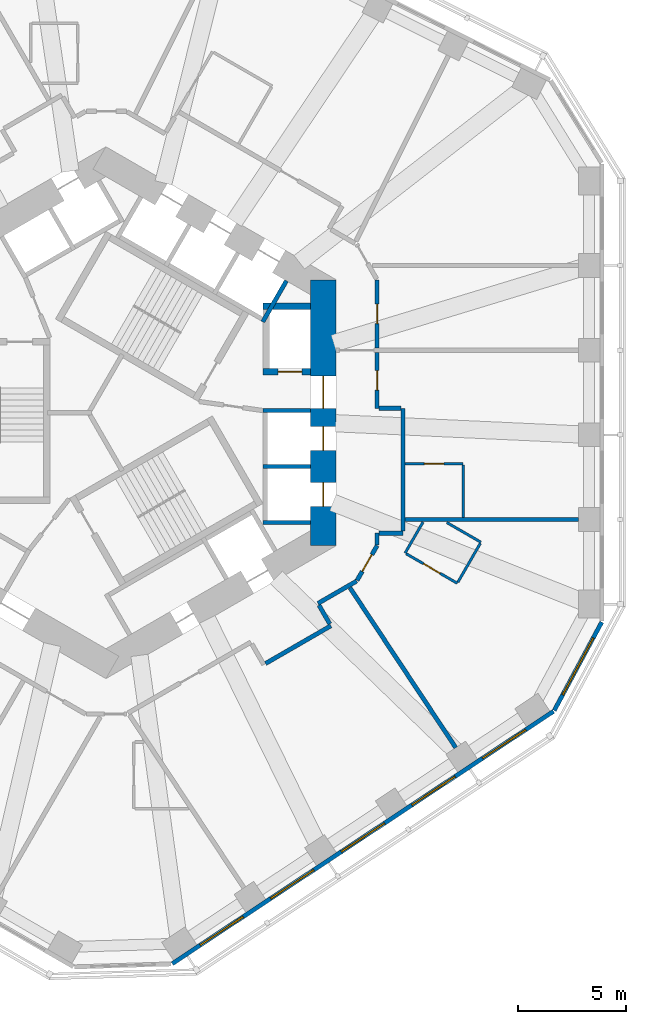
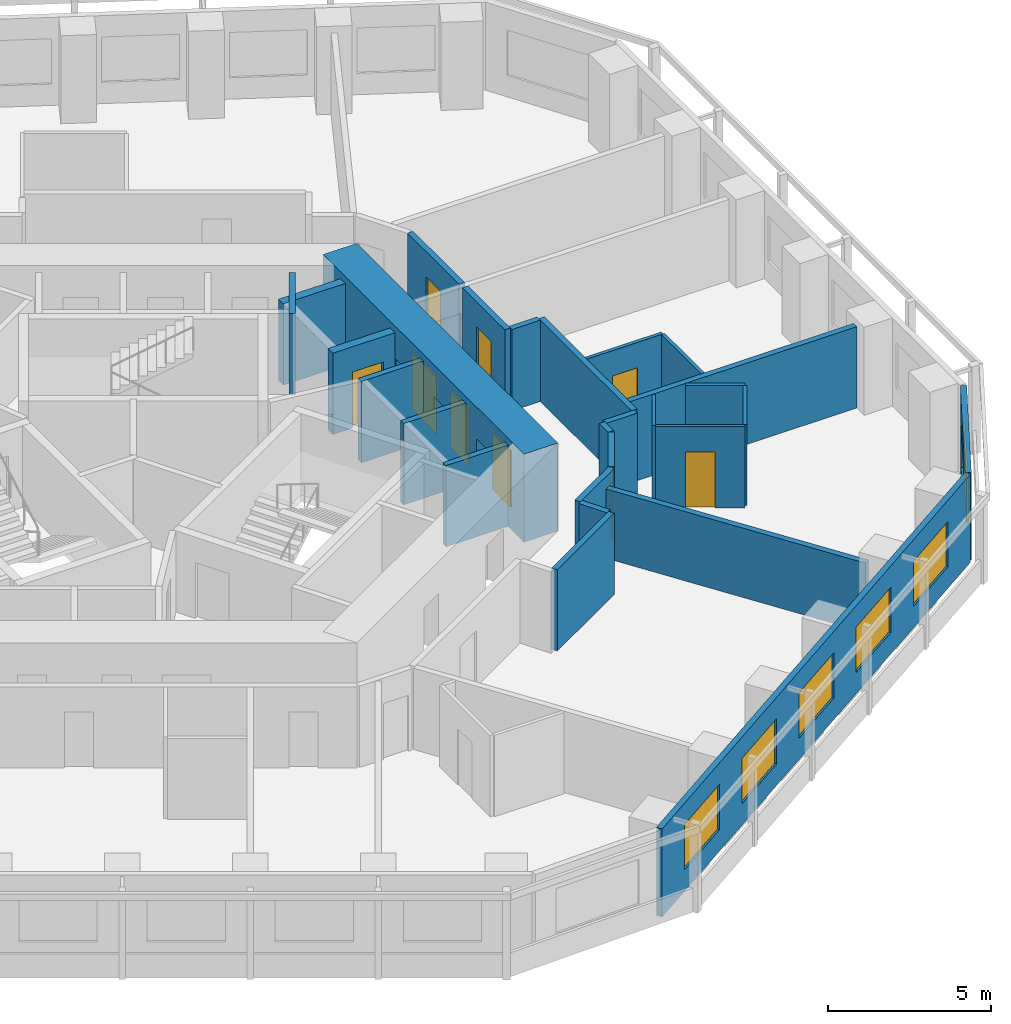
# One storey, part 6 of 12: 27 walls, 9 doors, 6 windows, 15 openings.
"""IFC4 building model written with IfcOpenShell, lengths in metres."""

from ifc_helpers import new_model, si_unit, direction, frame, frame_2d, origin, place, context, subcontext, project, spatial, rectangle, extrude, material, layer, layer_set, type_object, element, fill, save


model = new_model("IFC4")

# Units and contexts
model_context = context("Model", 3, precision=1e-05, world=origin(), true_north=direction((0.0, 1.0)))
body_context = subcontext(model_context, "Body", "Model", "MODEL_VIEW")
ifc_project = project(units=[si_unit("LENGTHUNIT", "METRE"), si_unit("AREAUNIT", "SQUARE_METRE"), si_unit("VOLUMEUNIT", "CUBIC_METRE"), si_unit("PLANEANGLEUNIT", "RADIAN"), si_unit("MASSUNIT", "GRAM", prefix="KILO")], contexts=[model_context])

# Site, building, storey
site_placement = place(None, origin())
site = spatial("IfcSite", under=ifc_project, at=site_placement, CompositionType="ELEMENT")
building_placement = place(site_placement, origin())
building = spatial("IfcBuilding", under=site, at=building_placement, Name="Vanh Sen Convention Tower", CompositionType="ELEMENT")
storey_placement = place(building_placement, frame((0.0, 0.0, 103.39990234375)))
storey = spatial("IfcBuildingStorey", under=building, at=storey_placement, Name="L24", CompositionType="ELEMENT", Elevation=103.39990234375)

# Wall
ifc_material_1 = material(Name="Moisture-resistant gypsum board on steel studs", Category="steel")
ifc_layer_1 = layer(ifc_material_1, 0.1201171875)
ifc_layer_set_1 = layer_set([ifc_layer_1], Name="Moisture-resistant gypsum board on steel studs")
wall_type_1 = type_object("IfcWallType", Name="Bathroom partition 120", PredefinedType="PARTITIONING", material=ifc_layer_set_1)
wall_1_placement = place(storey_placement, frame((13.90087890625, -6.5244140625, 0.0), z_axis=(0.0, 0.0, 1.0), x_axis=(0.499964162598, 0.86604609353, 0.0)))
element("IfcWall", 1, at=wall_1_placement, inside=storey, type_object=wall_type_1, Name="Bathroom partition 120", PredefinedType="PARTITIONING", context=body_context, shape_type="SweptSolid", body=[
    extrude(rectangle(XDim=1.6611328125, YDim=0.1201171875, at=frame_2d((0.83056640625, 0.0))), origin(), (0.0, 0.0, 1.0), 3.050048828125),
])

# Wall, opening, door
wall_2_placement = place(storey_placement, frame((13.90087890625, -2.364501953125, 0.0), z_axis=(0.0, 0.0, 1.0), x_axis=(1.0, 0.0, 0.0)))
wall_2 = element("IfcWall", 2, at=wall_2_placement, inside=storey, type_object=wall_type_1, Name="Bathroom partition 120", PredefinedType="PARTITIONING", context=body_context, shape_type="SweptSolid", body=[
    extrude(rectangle(XDim=2.7001953125, YDim=0.1201171875, at=frame_2d((1.35009765625, 0.0))), origin(), (0.0, 0.0, 1.0), 3.050048828125),
])
opening_1_placement = place(wall_2_placement, frame((0.89990234375, 0.0, 0.0)))
opening_1 = element("IfcOpeningElement", 3, at=opening_1_placement, cuts=wall_2, Name="Opening D22102", PredefinedType="OPENING", context=body_context, shape_type="SweptSolid", body=[
    extrude(rectangle(XDim=0.89990234375, YDim=2.10009765625, at=frame_2d((0.449951171875, 1.050048828125))), frame((0.0, 0.070068359375, 0.0), z_axis=(0.0, -1.0, 0.0), x_axis=(1.0, 0.0, 0.0)), (0.0, 0.0, 1.0), 0.14013671875),
])
ifc_material_2 = material(Name="Laminate door in steel frame", Category="steel")
door_type_1 = type_object("IfcDoorType", Name="En-suite door 900", OperationType="SINGLE_SWING_LEFT", PredefinedType="DOOR", material=ifc_material_2)
door_1_placement = place(opening_1_placement, origin())
door_1 = element("IfcDoor", 4, at=door_1_placement, inside=storey, type_object=door_type_1, Name="En-suite door D22102", OperationType="SINGLE_SWING_LEFT", OverallHeight=2.10009765625, OverallWidth=0.89990234375, PredefinedType="DOOR", context=body_context, shape_type="SweptSolid", body=[
    extrude(rectangle(XDim=0.89990234375, YDim=2.10009765625, at=frame_2d((0.449951171875, 1.050048828125))), frame((0.0, 0.02490234375, 0.0), z_axis=(0.0, -1.0, 0.0), x_axis=(1.0, 0.0, 0.0)), (0.0, 0.0, 1.0), 0.050048828125),
])
fill(opening_1, door_1)

# Wall
wall_3_placement = place(storey_placement, frame((15.84130859375, -5.1044921875, 0.0), z_axis=(0.0, 0.0, 1.0), x_axis=(0.866025591402, -0.499999675036, 0.0)))
element("IfcWall", 5, at=wall_3_placement, inside=storey, type_object=wall_type_1, Name="Bathroom partition 120", PredefinedType="PARTITIONING", context=body_context, shape_type="SweptSolid", body=[
    extrude(rectangle(XDim=1.82958984375, YDim=0.1201171875, at=frame_2d((0.914794921875, 0.0))), origin(), (0.0, 0.0, 1.0), 3.050048828125),
])

# Wall, opening, door
wall_4_placement = place(storey_placement, frame((16.32568359375, -7.924560546875, 0.0), z_axis=(0.0, 0.0, 1.0), x_axis=(-0.865997131366, 0.500048966069, 0.0)))
wall_4 = element("IfcWall", 6, at=wall_4_placement, inside=storey, type_object=wall_type_1, Name="Bathroom partition 120", PredefinedType="PARTITIONING", context=body_context, shape_type="SweptSolid", body=[
    extrude(rectangle(XDim=2.739990234375, YDim=0.1201171875, at=frame_2d((1.3701171875, 0.0))), origin(), (0.0, 0.0, 1.0), 3.050048828125),
])
opening_2_placement = place(wall_4_placement, frame((0.919921875, 0.0, 0.0)))
opening_2 = element("IfcOpeningElement", 7, at=opening_2_placement, cuts=wall_4, Name="Opening D22127", PredefinedType="OPENING", context=body_context, shape_type="SweptSolid", body=[
    extrude(rectangle(XDim=0.89990234375, YDim=2.10009765625, at=frame_2d((0.449951171875, 1.050048828125))), frame((0.0, 0.070068359375, 0.0), z_axis=(0.0, -1.0, 0.0), x_axis=(1.0, 0.0, 0.0)), (0.0, 0.0, 1.0), 0.14013671875),
])
door_2_placement = place(opening_2_placement, origin())
door_2 = element("IfcDoor", 8, at=door_2_placement, inside=storey, type_object=door_type_1, Name="En-suite door D22127", OperationType="SINGLE_SWING_LEFT", OverallHeight=2.10009765625, OverallWidth=0.89990234375, PredefinedType="DOOR", context=body_context, shape_type="SweptSolid", body=[
    extrude(rectangle(XDim=0.89990234375, YDim=2.10009765625, at=frame_2d((0.449951171875, 1.050048828125))), frame((0.0, 0.02490234375, 0.0), z_axis=(0.0, -1.0, 0.0), x_axis=(1.0, 0.0, 0.0)), (0.0, 0.0, 1.0), 0.050048828125),
])
fill(opening_2, door_2)

# Walls
wall_5_placement = place(storey_placement, frame((16.60107421875, -2.424560546875, 0.0), z_axis=(0.0, 0.0, 1.0), x_axis=(0.0, -1.0, 0.0)))
element("IfcWall", 9, at=wall_5_placement, inside=storey, type_object=wall_type_1, Name="Bathroom partition 120", PredefinedType="PARTITIONING", context=body_context, shape_type="SweptSolid", body=[
    extrude(rectangle(XDim=2.43994140625, YDim=0.1201171875, at=frame_2d((1.219970703125, 0.0))), origin(), (0.0, 0.0, 1.0), 3.050048828125),
])
wall_6_placement = place(storey_placement, frame((17.395751953125, -6.0712890625, 0.0), z_axis=(0.0, 0.0, 1.0), x_axis=(-0.500027264788, -0.866009661879, 0.0)))
element("IfcWall", 10, at=wall_6_placement, inside=storey, type_object=wall_type_1, Name="Bathroom partition 120", PredefinedType="PARTITIONING", context=body_context, shape_type="SweptSolid", body=[
    extrude(rectangle(XDim=2.080078125, YDim=0.1201171875, at=frame_2d((1.0400390625, 0.0))), origin(), (0.0, 0.0, 1.0), 3.050048828125),
])

# Wall, openings, doors
ifc_material_3 = material(Name="Concrete C80/95", Category="concrete")
ifc_layer_2 = layer(ifc_material_3, 1.199951171875)
ifc_layer_set_2 = layer_set([ifc_layer_2], Name="Concrete C80/95")
wall_type_2 = type_object("IfcWallType", Name="Core outer wall 1200 C80/95", PredefinedType="SHEAR", material=ifc_layer_set_2)
wall_7_placement = place(storey_placement, frame((10.10009765625, -6.177490234375, 0.0), z_axis=(0.0, 0.0, 1.0), x_axis=(0.0, 1.0, 0.0)))
wall_7 = element("IfcWall", 11, at=wall_7_placement, inside=storey, type_object=wall_type_2, Name="Core wall face E L24", PredefinedType="SHEAR", context=body_context, shape_type="SweptSolid", body=[
    extrude(rectangle(XDim=12.35498046875, YDim=1.199951171875, at=frame_2d((6.177490234375, 0.0))), origin(), (0.0, 0.0, 1.0), 3.300048828125),
])
opening_3_placement = place(wall_7_placement, frame((6.377685546875, 0.0, 0.0)))
opening_3 = element("IfcOpeningElement", 12, at=opening_3_placement, cuts=wall_7, Name="Opening D22001", PredefinedType="OPENING", context=body_context, shape_type="SweptSolid", body=[
    extrude(rectangle(XDim=1.5, YDim=2.10009765625, at=frame_2d((0.75, 1.050048828125))), frame((0.0, 0.60986328125, 0.0), z_axis=(0.0, -1.0, 0.0), x_axis=(1.0, 0.0, 0.0)), (0.0, 0.0, 1.0), 1.219970703125),
])
opening_4_placement = place(wall_7_placement, frame((1.82763671875, 0.0, 0.0)))
opening_4 = element("IfcOpeningElement", 13, at=opening_4_placement, cuts=wall_7, Name="Opening LD-LR1", PredefinedType="OPENING", context=body_context, shape_type="SweptSolid", body=[
    extrude(rectangle(XDim=1.10009765625, YDim=2.10009765625, at=frame_2d((0.550048828125, 1.050048828125))), frame((0.0, 0.60986328125, 0.0), z_axis=(0.0, -1.0, 0.0), x_axis=(1.0, 0.0, 0.0)), (0.0, 0.0, 1.0), 1.219970703125),
])
opening_5_placement = place(wall_7_placement, frame((4.427490234375, 0.0, 0.0)))
opening_5 = element("IfcOpeningElement", 14, at=opening_5_placement, cuts=wall_7, Name="Opening LD-LR2", PredefinedType="OPENING", context=body_context, shape_type="SweptSolid", body=[
    extrude(rectangle(XDim=1.10009765625, YDim=2.10009765625, at=frame_2d((0.550048828125, 1.050048828125))), frame((0.0, 0.60986328125, 0.0), z_axis=(0.0, -1.0, 0.0), x_axis=(1.0, 0.0, 0.0)), (0.0, 0.0, 1.0), 1.219970703125),
])
ifc_material_4 = material(Name="Stainless steel", Category="steel")
door_type_2 = type_object("IfcDoorType", Name="Lift landing door 1100", OperationType="DOUBLE_DOOR_SLIDING", PredefinedType="DOOR", material=ifc_material_4)
door_3_placement = place(opening_4_placement, origin())
door_3 = element("IfcDoor", 15, at=door_3_placement, inside=storey, type_object=door_type_2, Name="Lift LR1 landing door LD-LR1", OperationType="DOUBLE_DOOR_SLIDING", OverallHeight=2.10009765625, OverallWidth=1.10009765625, PredefinedType="DOOR", context=body_context, shape_type="SweptSolid", body=[
    extrude(rectangle(XDim=1.10009765625, YDim=2.10009765625, at=frame_2d((0.550048828125, 1.050048828125))), frame((0.0, 0.02490234375, 0.0), z_axis=(0.0, -1.0, 0.0), x_axis=(1.0, 0.0, 0.0)), (0.0, 0.0, 1.0), 0.050048828125),
])
fill(opening_4, door_3)
door_4_placement = place(opening_5_placement, origin())
door_4 = element("IfcDoor", 16, at=door_4_placement, inside=storey, type_object=door_type_2, Name="Lift LR2 landing door LD-LR2", OperationType="DOUBLE_DOOR_SLIDING", OverallHeight=2.10009765625, OverallWidth=1.10009765625, PredefinedType="DOOR", context=body_context, shape_type="SweptSolid", body=[
    extrude(rectangle(XDim=1.10009765625, YDim=2.10009765625, at=frame_2d((0.550048828125, 1.050048828125))), frame((0.0, 0.02490234375, 0.0), z_axis=(0.0, -1.0, 0.0), x_axis=(1.0, 0.0, 0.0)), (0.0, 0.0, 1.0), 0.050048828125),
])
fill(opening_5, door_4)
ifc_material_5 = material(Name="Steel S355", Category="steel")
door_type_3 = type_object("IfcDoorType", Name="Stair lobby door 1500", OperationType="DOUBLE_DOOR_SINGLE_SWING", PredefinedType="DOOR", material=ifc_material_5)
door_5_placement = place(opening_3_placement, origin())
door_5 = element("IfcDoor", 17, at=door_5_placement, inside=storey, type_object=door_type_3, Name="Stair lobby door D22001", OperationType="DOUBLE_DOOR_SINGLE_SWING", OverallHeight=2.10009765625, OverallWidth=1.5, PredefinedType="DOOR", context=body_context, shape_type="SweptSolid", body=[
    extrude(rectangle(XDim=1.5, YDim=2.10009765625, at=frame_2d((0.75, 1.050048828125))), frame((0.0, 0.02490234375, 0.0), z_axis=(0.0, -1.0, 0.0), x_axis=(1.0, 0.0, 0.0)), (0.0, 0.0, 1.0), 0.050048828125),
])
fill(opening_3, door_5)

# Walls
ifc_material_6 = material(Name="Gypsum board on steel studs with mineral wool", Category="steel")
ifc_layer_3 = layer(ifc_material_6, 0.199951171875)
ifc_layer_set_3 = layer_set([ifc_layer_3], Name="Gypsum board on steel studs with mineral wool")
wall_type_3 = type_object("IfcWallType", Name="Corridor partition wall 200", PredefinedType="PARTITIONING", material=ifc_layer_set_3)
wall_8_placement = place(storey_placement, frame((7.419189453125, -11.652587890625, 0.0), z_axis=(0.0, 0.0, 1.0), x_axis=(0.866038154057, 0.49997791523, 0.0)))
element("IfcWall", 18, at=wall_8_placement, inside=storey, type_object=wall_type_3, Name="Corridor partition wall 200", PredefinedType="PARTITIONING", context=body_context, shape_type="SweptSolid", body=[
    extrude(rectangle(XDim=3.502197265625, YDim=0.199951171875, at=frame_2d((1.7509765625, 0.0))), origin(), (0.0, 0.0, 1.0), 3.050048828125),
])
wall_9_placement = place(storey_placement, frame((9.8515625, -8.861328125, 0.0), z_axis=(0.0, 0.0, 1.0), x_axis=(0.866013291437, 0.500020978615, 0.0)))
element("IfcWall", 19, at=wall_9_placement, inside=storey, type_object=wall_type_3, Name="Corridor partition wall 200", PredefinedType="PARTITIONING", context=body_context, shape_type="SweptSolid", body=[
    extrude(rectangle(XDim=2.07666015625, YDim=0.199951171875, at=frame_2d((1.038330078125, 0.0))), origin(), (0.0, 0.0, 1.0), 3.050048828125),
])
wall_10_placement = place(storey_placement, frame((10.402099609375, -9.81494140625, 0.0), z_axis=(0.0, 0.0, 1.0), x_axis=(-0.499968756647, 0.866043441391, 0.0)))
element("IfcWall", 20, at=wall_10_placement, inside=storey, type_object=wall_type_3, Name="Corridor partition wall 200", PredefinedType="PARTITIONING", context=body_context, shape_type="SweptSolid", body=[
    extrude(rectangle(XDim=1.0009765625, YDim=0.199951171875, at=frame_2d((0.50048828125, 0.0))), origin(), (0.0, 0.0, 1.0), 3.050048828125),
])

# Wall, opening, door
wall_11_placement = place(storey_placement, frame((11.669921875, -7.788330078125, 0.0), z_axis=(0.0, 0.0, 1.0), x_axis=(0.500063286585, 0.865988862174, 0.0)))
wall_11 = element("IfcWall", 21, at=wall_11_placement, inside=storey, type_object=wall_type_3, Name="Corridor partition wall 200", PredefinedType="PARTITIONING", context=body_context, shape_type="SweptSolid", body=[
    extrude(rectangle(XDim=1.860107421875, YDim=0.199951171875, at=frame_2d((0.93017578125, 0.0))), origin(), (0.0, 0.0, 1.0), 3.050048828125),
])
opening_6_placement = place(wall_11_placement, frame((0.47998046875, 0.0, 0.0)))
opening_6 = element("IfcOpeningElement", 22, at=opening_6_placement, cuts=wall_11, Name="Opening D22126", PredefinedType="OPENING", context=body_context, shape_type="SweptSolid", body=[
    extrude(rectangle(XDim=0.89990234375, YDim=2.10009765625, at=frame_2d((0.449951171875, 1.050048828125))), frame((0.0, 0.10986328125, 0.0), z_axis=(0.0, -1.0, 0.0), x_axis=(1.0, 0.0, 0.0)), (0.0, 0.0, 1.0), 0.219970703125),
])
ifc_material_7 = material(Name="Timber fire door in steel frame", Category="steel")
door_type_4 = type_object("IfcDoorType", Name="Guest room door 900", OperationType="SINGLE_SWING_LEFT", PredefinedType="DOOR", material=ifc_material_7)
door_6_placement = place(opening_6_placement, origin())
door_6 = element("IfcDoor", 23, at=door_6_placement, inside=storey, type_object=door_type_4, Name="Hotel guest room door D22126", OperationType="SINGLE_SWING_LEFT", OverallHeight=2.10009765625, OverallWidth=0.89990234375, PredefinedType="DOOR", context=body_context, shape_type="SweptSolid", body=[
    extrude(rectangle(XDim=0.89990234375, YDim=2.10009765625, at=frame_2d((0.449951171875, 1.050048828125))), frame((0.0, 0.02490234375, 0.0), z_axis=(0.0, -1.0, 0.0), x_axis=(1.0, 0.0, 0.0)), (0.0, 0.0, 1.0), 0.050048828125),
])
fill(opening_6, door_6)

# Wall
wall_12_placement = place(storey_placement, frame((12.60009765625, -6.1376953125, 0.0), z_axis=(0.0, 0.0, 1.0), x_axis=(0.0, 1.0, 0.0)))
element("IfcWall", 24, at=wall_12_placement, inside=storey, type_object=wall_type_3, Name="Corridor partition wall 200", PredefinedType="PARTITIONING", context=body_context, shape_type="SweptSolid", body=[
    extrude(rectangle(XDim=0.53662109375, YDim=0.199951171875, at=frame_2d((0.268310546875, 0.0))), origin(), (0.0, 0.0, 1.0), 3.050048828125),
])

# Wall, opening, door
wall_13_placement = place(storey_placement, frame((12.60009765625, 0.200927734375, 0.0), z_axis=(0.0, 0.0, 1.0), x_axis=(0.0, 1.0, 0.0)))
wall_13 = element("IfcWall", 25, at=wall_13_placement, inside=storey, type_object=wall_type_3, Name="Corridor partition wall 200", PredefinedType="PARTITIONING", context=body_context, shape_type="SweptSolid", body=[
    extrude(rectangle(XDim=2.603515625, YDim=0.199951171875, at=frame_2d((1.3017578125, 0.0))), origin(), (0.0, 0.0, 1.0), 3.050048828125),
])
opening_7_placement = place(wall_13_placement, frame((0.851806640625, 0.0, 0.0)))
opening_7 = element("IfcOpeningElement", 26, at=opening_7_placement, cuts=wall_13, Name="Opening D22101", PredefinedType="OPENING", context=body_context, shape_type="SweptSolid", body=[
    extrude(rectangle(XDim=0.89990234375, YDim=2.10009765625, at=frame_2d((0.449951171875, 1.050048828125))), frame((0.0, 0.10986328125, 0.0), z_axis=(0.0, -1.0, 0.0), x_axis=(1.0, 0.0, 0.0)), (0.0, 0.0, 1.0), 0.219970703125),
])
door_7_placement = place(opening_7_placement, origin())
door_7 = element("IfcDoor", 27, at=door_7_placement, inside=storey, type_object=door_type_4, Name="Hotel guest room door D22101", OperationType="SINGLE_SWING_LEFT", OverallHeight=2.10009765625, OverallWidth=0.89990234375, PredefinedType="DOOR", context=body_context, shape_type="SweptSolid", body=[
    extrude(rectangle(XDim=0.89990234375, YDim=2.10009765625, at=frame_2d((0.449951171875, 1.050048828125))), frame((0.0, 0.02490234375, 0.0), z_axis=(0.0, -1.0, 0.0), x_axis=(1.0, 0.0, 0.0)), (0.0, 0.0, 1.0), 0.050048828125),
])
fill(opening_7, door_7)

wall_14_placement = place(storey_placement, frame((12.60009765625, 3.00439453125, 0.0), z_axis=(0.0, 0.0, 1.0), x_axis=(0.0, 1.0, 0.0)))
wall_14 = element("IfcWall", 28, at=wall_14_placement, inside=storey, type_object=wall_type_3, Name="Corridor partition wall 200", PredefinedType="PARTITIONING", context=body_context, shape_type="SweptSolid", body=[
    extrude(rectangle(XDim=3.173095703125, YDim=0.199951171875, at=frame_2d((1.58642578125, 0.0))), origin(), (0.0, 0.0, 1.0), 3.050048828125),
])
opening_8_placement = place(wall_14_placement, frame((1.136474609375, 0.0, 0.0)))
opening_8 = element("IfcOpeningElement", 29, at=opening_8_placement, cuts=wall_14, Name="Opening D22103", PredefinedType="OPENING", context=body_context, shape_type="SweptSolid", body=[
    extrude(rectangle(XDim=0.89990234375, YDim=2.10009765625, at=frame_2d((0.449951171875, 1.050048828125))), frame((0.0, 0.10986328125, 0.0), z_axis=(0.0, -1.0, 0.0), x_axis=(1.0, 0.0, 0.0)), (0.0, 0.0, 1.0), 0.219970703125),
])
door_type_5 = type_object("IfcDoorType", Name="Floor service door 900", OperationType="SINGLE_SWING_LEFT", PredefinedType="DOOR", material=ifc_material_7)
door_8_placement = place(opening_8_placement, origin())
door_8 = element("IfcDoor", 30, at=door_8_placement, inside=storey, type_object=door_type_5, Name="Service room door D22103", OperationType="SINGLE_SWING_LEFT", OverallHeight=2.10009765625, OverallWidth=0.89990234375, PredefinedType="DOOR", context=body_context, shape_type="SweptSolid", body=[
    extrude(rectangle(XDim=0.89990234375, YDim=2.10009765625, at=frame_2d((0.449951171875, 1.050048828125))), frame((0.0, 0.02490234375, 0.0), z_axis=(0.0, -1.0, 0.0), x_axis=(1.0, 0.0, 0.0)), (0.0, 0.0, 1.0), 0.050048828125),
])
fill(opening_8, door_8)

# Walls
wall_15_placement = place(storey_placement, frame((12.699951171875, -5.60107421875, 0.0), z_axis=(0.0, 0.0, 1.0), x_axis=(1.0, 0.0, 0.0)))
element("IfcWall", 31, at=wall_15_placement, inside=storey, type_object=wall_type_3, Name="Corridor partition wall 200", PredefinedType="PARTITIONING", context=body_context, shape_type="SweptSolid", body=[
    extrude(rectangle(XDim=1.10107421875, YDim=0.199951171875, at=frame_2d((0.550537109375, 0.0))), origin(), (0.0, 0.0, 1.0), 3.050048828125),
])
wall_16_placement = place(storey_placement, frame((13.700927734375, 0.200927734375, 0.0), z_axis=(0.0, 0.0, 1.0), x_axis=(-1.0, 0.0, 0.0)))
element("IfcWall", 32, at=wall_16_placement, inside=storey, type_object=wall_type_3, Name="Corridor partition wall 200", PredefinedType="PARTITIONING", context=body_context, shape_type="SweptSolid", body=[
    extrude(rectangle(XDim=1.0009765625, YDim=0.199951171875, at=frame_2d((0.50048828125, 0.0))), origin(), (0.0, 0.0, 1.0), 3.050048828125),
])
wall_17_placement = place(storey_placement, frame((13.801025390625, -5.5009765625, 0.0), z_axis=(0.0, 0.0, 1.0), x_axis=(0.0, 1.0, 0.0)))
element("IfcWall", 33, at=wall_17_placement, inside=storey, type_object=wall_type_3, Name="Corridor partition wall 200", PredefinedType="PARTITIONING", context=body_context, shape_type="SweptSolid", body=[
    extrude(rectangle(XDim=5.701904296875, YDim=0.199951171875, at=frame_2d((2.85107421875, 0.0))), origin(), (0.0, 0.0, 1.0), 3.050048828125),
])

# Wall, openings, windows
ifc_material_8 = material(Name="Insulated lightweight infill wall")
ifc_layer_4 = layer(ifc_material_8, 0.199951171875)
ifc_layer_set_4 = layer_set([ifc_layer_4], Name="Insulated lightweight infill wall")
wall_type_4 = type_object("IfcWallType", Name="External wall 200", PredefinedType="STANDARD", material=ifc_layer_set_4)
wall_18_placement = place(storey_placement, frame((3.0830078125, -25.60107421875, 0.0), z_axis=(0.0, 0.0, 1.0), x_axis=(0.833884295743, 0.551939291329, 0.0)))
wall_18 = element("IfcWall", 34, at=wall_18_placement, inside=storey, type_object=wall_type_4, Name="External wall SE L24", PredefinedType="STANDARD", context=body_context, shape_type="SweptSolid", body=[
    extrude(rectangle(XDim=21.24609375, YDim=0.199951171875, at=frame_2d((10.623046875, 0.0))), origin(), (0.0, 0.0, 1.0), 3.300048828125),
])
opening_9_placement = place(wall_18_placement, frame((1.552978515625, 0.0, 0.800048828125)))
opening_9 = element("IfcOpeningElement", 35, at=opening_9_placement, cuts=wall_18, Name="Opening WH1-SE1", PredefinedType="OPENING", context=body_context, shape_type="SweptSolid", body=[
    extrude(rectangle(XDim=2.39990234375, YDim=1.699951171875, at=frame_2d((1.199951171875, 0.85009765625))), frame((0.0, 0.10986328125, 0.0), z_axis=(0.0, -1.0, 0.0), x_axis=(1.0, 0.0, 0.0)), (0.0, 0.0, 1.0), 0.219970703125),
])
opening_10_placement = place(wall_18_placement, frame((5.487548828125, 0.0, 0.800048828125)))
opening_10 = element("IfcOpeningElement", 36, at=opening_10_placement, cuts=wall_18, Name="Opening WH1-SE2", PredefinedType="OPENING", context=body_context, shape_type="SweptSolid", body=[
    extrude(rectangle(XDim=2.39990234375, YDim=1.699951171875, at=frame_2d((1.199951171875, 0.85009765625))), frame((0.0, 0.10986328125, 0.0), z_axis=(0.0, -1.0, 0.0), x_axis=(1.0, 0.0, 0.0)), (0.0, 0.0, 1.0), 0.219970703125),
])
opening_11_placement = place(wall_18_placement, frame((9.422119140625, 0.0, 0.800048828125)))
opening_11 = element("IfcOpeningElement", 37, at=opening_11_placement, cuts=wall_18, Name="Opening WH1-SE3", PredefinedType="OPENING", context=body_context, shape_type="SweptSolid", body=[
    extrude(rectangle(XDim=2.39990234375, YDim=1.699951171875, at=frame_2d((1.199951171875, 0.85009765625))), frame((0.0, 0.10986328125, 0.0), z_axis=(0.0, -1.0, 0.0), x_axis=(1.0, 0.0, 0.0)), (0.0, 0.0, 1.0), 0.219970703125),
])
opening_12_placement = place(wall_18_placement, frame((13.356689453125, 0.0, 0.800048828125)))
opening_12 = element("IfcOpeningElement", 38, at=opening_12_placement, cuts=wall_18, Name="Opening WH1-SE4", PredefinedType="OPENING", context=body_context, shape_type="SweptSolid", body=[
    extrude(rectangle(XDim=2.39990234375, YDim=1.699951171875, at=frame_2d((1.199951171875, 0.85009765625))), frame((0.0, 0.10986328125, 0.0), z_axis=(0.0, -1.0, 0.0), x_axis=(1.0, 0.0, 0.0)), (0.0, 0.0, 1.0), 0.219970703125),
])
opening_13_placement = place(wall_18_placement, frame((17.291259765625, 0.0, 0.800048828125)))
opening_13 = element("IfcOpeningElement", 39, at=opening_13_placement, cuts=wall_18, Name="Opening WH1-SE5", PredefinedType="OPENING", context=body_context, shape_type="SweptSolid", body=[
    extrude(rectangle(XDim=2.39990234375, YDim=1.699951171875, at=frame_2d((1.199951171875, 0.85009765625))), frame((0.0, 0.10986328125, 0.0), z_axis=(0.0, -1.0, 0.0), x_axis=(1.0, 0.0, 0.0)), (0.0, 0.0, 1.0), 0.219970703125),
])
ifc_material_9 = material(Name="Aluminium frame with clear low-emissivity glass", Category="aluminium")
window_type_1 = type_object("IfcWindowType", Name="Hotel window 2400 x 1700", PartitioningType="SINGLE_PANEL", PredefinedType="WINDOW", material=ifc_material_9)
window_1_placement = place(opening_9_placement, origin())
window_1 = element("IfcWindow", 40, at=window_1_placement, inside=storey, type_object=window_type_1, Name="Window WH1-SE1", OverallHeight=1.699951171875, OverallWidth=2.39990234375, PartitioningType="SINGLE_PANEL", PredefinedType="WINDOW", context=body_context, shape_type="SweptSolid", body=[
    extrude(rectangle(XDim=2.39990234375, YDim=1.699951171875, at=frame_2d((1.199951171875, 0.85009765625))), frame((0.0, 0.030029296875, 0.0), z_axis=(0.0, -1.0, 0.0), x_axis=(1.0, 0.0, 0.0)), (0.0, 0.0, 1.0), 0.06005859375),
])
fill(opening_9, window_1)
window_2_placement = place(opening_10_placement, origin())
window_2 = element("IfcWindow", 41, at=window_2_placement, inside=storey, type_object=window_type_1, Name="Window WH1-SE2", OverallHeight=1.699951171875, OverallWidth=2.39990234375, PartitioningType="SINGLE_PANEL", PredefinedType="WINDOW", context=body_context, shape_type="SweptSolid", body=[
    extrude(rectangle(XDim=2.39990234375, YDim=1.699951171875, at=frame_2d((1.199951171875, 0.85009765625))), frame((0.0, 0.030029296875, 0.0), z_axis=(0.0, -1.0, 0.0), x_axis=(1.0, 0.0, 0.0)), (0.0, 0.0, 1.0), 0.06005859375),
])
fill(opening_10, window_2)
window_3_placement = place(opening_11_placement, origin())
window_3 = element("IfcWindow", 42, at=window_3_placement, inside=storey, type_object=window_type_1, Name="Window WH1-SE3", OverallHeight=1.699951171875, OverallWidth=2.39990234375, PartitioningType="SINGLE_PANEL", PredefinedType="WINDOW", context=body_context, shape_type="SweptSolid", body=[
    extrude(rectangle(XDim=2.39990234375, YDim=1.699951171875, at=frame_2d((1.199951171875, 0.85009765625))), frame((0.0, 0.030029296875, 0.0), z_axis=(0.0, -1.0, 0.0), x_axis=(1.0, 0.0, 0.0)), (0.0, 0.0, 1.0), 0.06005859375),
])
fill(opening_11, window_3)
window_4_placement = place(opening_12_placement, origin())
window_4 = element("IfcWindow", 43, at=window_4_placement, inside=storey, type_object=window_type_1, Name="Window WH1-SE4", OverallHeight=1.699951171875, OverallWidth=2.39990234375, PartitioningType="SINGLE_PANEL", PredefinedType="WINDOW", context=body_context, shape_type="SweptSolid", body=[
    extrude(rectangle(XDim=2.39990234375, YDim=1.699951171875, at=frame_2d((1.199951171875, 0.85009765625))), frame((0.0, 0.030029296875, 0.0), z_axis=(0.0, -1.0, 0.0), x_axis=(1.0, 0.0, 0.0)), (0.0, 0.0, 1.0), 0.06005859375),
])
fill(opening_12, window_4)
window_5_placement = place(opening_13_placement, origin())
window_5 = element("IfcWindow", 44, at=window_5_placement, inside=storey, type_object=window_type_1, Name="Window WH1-SE5", OverallHeight=1.699951171875, OverallWidth=2.39990234375, PartitioningType="SINGLE_PANEL", PredefinedType="WINDOW", context=body_context, shape_type="SweptSolid", body=[
    extrude(rectangle(XDim=2.39990234375, YDim=1.699951171875, at=frame_2d((1.199951171875, 0.85009765625))), frame((0.0, 0.030029296875, 0.0), z_axis=(0.0, -1.0, 0.0), x_axis=(1.0, 0.0, 0.0)), (0.0, 0.0, 1.0), 0.06005859375),
])
fill(opening_13, window_5)

# Wall, opening, window
wall_19_placement = place(storey_placement, frame((20.83251953125, -13.838623046875, 0.0), z_axis=(0.0, 0.0, 1.0), x_axis=(0.473321668581, 0.880889662813, 0.0)))
wall_19 = element("IfcWall", 45, at=wall_19_placement, inside=storey, type_object=wall_type_4, Name="External wall CH6 L24", PredefinedType="STANDARD", context=body_context, shape_type="SweptSolid", body=[
    extrude(rectangle(XDim=4.65966796875, YDim=0.199951171875, at=frame_2d((2.329833984375, 0.0))), origin(), (0.0, 0.0, 1.0), 3.300048828125),
])
opening_14_placement = place(wall_19_placement, frame((0.829833984375, 0.0, 0.800048828125)))
opening_14 = element("IfcOpeningElement", 46, at=opening_14_placement, cuts=wall_19, Name="Opening WH2-CH61", PredefinedType="OPENING", context=body_context, shape_type="SweptSolid", body=[
    extrude(rectangle(XDim=3.0, YDim=1.699951171875, at=frame_2d((1.5, 0.85009765625))), frame((0.0, 0.10986328125, 0.0), z_axis=(0.0, -1.0, 0.0), x_axis=(1.0, 0.0, 0.0)), (0.0, 0.0, 1.0), 0.219970703125),
])
window_type_2 = type_object("IfcWindowType", Name="Hotel window 3000 x 1700", PartitioningType="SINGLE_PANEL", PredefinedType="WINDOW", material=ifc_material_9)
window_6_placement = place(opening_14_placement, origin())
window_6 = element("IfcWindow", 47, at=window_6_placement, inside=storey, type_object=window_type_2, Name="Window WH2-CH61", OverallHeight=1.699951171875, OverallWidth=3.0, PartitioningType="SINGLE_PANEL", PredefinedType="WINDOW", context=body_context, shape_type="SweptSolid", body=[
    extrude(rectangle(XDim=3.0, YDim=1.699951171875, at=frame_2d((1.5, 0.85009765625))), frame((0.0, 0.030029296875, 0.0), z_axis=(0.0, -1.0, 0.0), x_axis=(1.0, 0.0, 0.0)), (0.0, 0.0, 1.0), 0.06005859375),
])
fill(opening_14, window_6)

# Wall, opening, door
ifc_material_10 = material(Name="Concrete C60/75", Category="concrete")
ifc_layer_5 = layer(ifc_material_10, 0.300048828125)
ifc_layer_set_5 = layer_set([ifc_layer_5], Name="Concrete C60/75")
wall_type_5 = type_object("IfcWallType", Name="Fire-fighting lift shaft wall 300", PredefinedType="SHEAR", material=ifc_layer_set_5)
wall_20_placement = place(storey_placement, frame((7.300048828125, 1.89990234375, 0.0), z_axis=(0.0, 0.0, 1.0), x_axis=(1.0, 0.0, 0.0)))
wall_20 = element("IfcWall", 48, at=wall_20_placement, inside=storey, type_object=wall_type_5, Name="Fire-fighting lift shaft wall L24", PredefinedType="SHEAR", context=body_context, shape_type="SweptSolid", body=[
    extrude(rectangle(XDim=2.199951171875, YDim=0.300048828125, at=frame_2d((1.10009765625, 0.0))), origin(), (0.0, 0.0, 1.0), 3.050048828125),
])
opening_15_placement = place(wall_20_placement, frame((0.699951171875, 0.0, 0.0)))
opening_15 = element("IfcOpeningElement", 49, at=opening_15_placement, cuts=wall_20, Name="Opening LD-FF1", PredefinedType="OPENING", context=body_context, shape_type="SweptSolid", body=[
    extrude(rectangle(XDim=1.10009765625, YDim=2.10009765625, at=frame_2d((0.550048828125, 1.050048828125))), frame((0.0, 0.159912109375, 0.0), z_axis=(0.0, -1.0, 0.0), x_axis=(1.0, 0.0, 0.0)), (0.0, 0.0, 1.0), 0.320068359375),
])
door_type_6 = type_object("IfcDoorType", Name="Fire-fighting lift landing door 1100", OperationType="DOUBLE_DOOR_SLIDING", PredefinedType="DOOR", material=ifc_material_4)
door_9_placement = place(opening_15_placement, origin())
door_9 = element("IfcDoor", 50, at=door_9_placement, inside=storey, type_object=door_type_6, Name="Lift FF1 landing door LD-FF1", OperationType="DOUBLE_DOOR_SLIDING", OverallHeight=2.10009765625, OverallWidth=1.10009765625, PredefinedType="DOOR", context=body_context, shape_type="SweptSolid", body=[
    extrude(rectangle(XDim=1.10009765625, YDim=2.10009765625, at=frame_2d((0.550048828125, 1.050048828125))), frame((0.0, 0.02490234375, 0.0), z_axis=(0.0, -1.0, 0.0), x_axis=(1.0, 0.0, 0.0)), (0.0, 0.0, 1.0), 0.050048828125),
])
fill(opening_15, door_9)

# Walls
wall_21_placement = place(storey_placement, frame((7.300048828125, 4.949951171875, 0.0), z_axis=(0.0, 0.0, 1.0), x_axis=(1.0, 0.0, 0.0)))
element("IfcWall", 51, at=wall_21_placement, inside=storey, type_object=wall_type_5, Name="Fire-fighting lift shaft wall L24", PredefinedType="SHEAR", context=body_context, shape_type="SweptSolid", body=[
    extrude(rectangle(XDim=2.199951171875, YDim=0.300048828125, at=frame_2d((1.10009765625, 0.0))), origin(), (0.0, 0.0, 1.0), 3.050048828125),
])
ifc_layer_6 = layer(ifc_material_6, 0.199951171875)
ifc_layer_set_6 = layer_set([ifc_layer_6], Name="Gypsum board on steel studs with mineral wool")
wall_type_6 = type_object("IfcWallType", Name="Hotel party wall 200", PredefinedType="PARTITIONING", material=ifc_layer_set_6)
wall_22_placement = place(storey_placement, frame((13.90087890625, -4.964599609375, 0.0), z_axis=(0.0, 0.0, 1.0), x_axis=(1.0, 0.0, 0.0)))
element("IfcWall", 52, at=wall_22_placement, inside=storey, type_object=wall_type_6, Name="Hotel party wall 200", PredefinedType="PARTITIONING", context=body_context, shape_type="SweptSolid", body=[
    extrude(rectangle(XDim=8.049072265625, YDim=0.199951171875, at=frame_2d((4.0244140625, 0.0))), origin(), (0.0, 0.0, 1.0), 3.050048828125),
])
wall_23_placement = place(storey_placement, frame((16.2548828125, -15.563720703125, 0.0), z_axis=(0.0, 0.0, 1.0), x_axis=(-0.55192208744, 0.833895682562, 0.0)))
element("IfcWall", 53, at=wall_23_placement, inside=storey, type_object=wall_type_6, Name="Hotel party wall 200", PredefinedType="PARTITIONING", context=body_context, shape_type="SweptSolid", body=[
    extrude(rectangle(XDim=8.912841796875, YDim=0.199951171875, at=frame_2d((4.45654296875, 0.0))), origin(), (0.0, 0.0, 1.0), 2.60009765625),
])
ifc_material_11 = material(Name="Concrete C40/50", Category="concrete")
ifc_layer_7 = layer(ifc_material_11, 0.199951171875)
ifc_layer_set_7 = layer_set([ifc_layer_7], Name="Concrete C40/50")
wall_type_7 = type_object("IfcWallType", Name="Lift shaft wall 200", PredefinedType="PARTITIONING", material=ifc_layer_set_7)
for number, where, z_axis, x_axis, name in (
    (54, (7.300048828125, -5.10009765625, 0.0), (0.0, 0.0, 1.0), (1.0, 0.0, 0.0), "Lift shaft wall L24"),
    (55, (7.300048828125, -2.5, 0.0), (0.0, 0.0, 1.0), (1.0, 0.0, 0.0), "Lift shaft wall L24"),
    (56, (7.300048828125, 0.10009765625, 0.0), (0.0, 0.0, 1.0), (1.0, 0.0, 0.0), "Lift shaft wall L24"),
    (57, (7.287353515625, 4.221923828125, 0.0), (0.0, 0.0, 1.0), (0.499946605688, 0.86605622881, 0.0), "Lift shaft wall L24"),
):
    element("IfcWall", number, at=place(storey_placement, frame(where, z_axis=z_axis, x_axis=x_axis)), inside=storey, type_object=wall_type_7, Name=name, PredefinedType="PARTITIONING", context=body_context, shape_type="SweptSolid", body=[
        extrude(rectangle(XDim=2.199951171875, YDim=0.199951171875, at=frame_2d((1.10009765625, 0.0))), origin(), (0.0, 0.0, 1.0), 3.050048828125),
    ])

save(model, "model.ifc")
